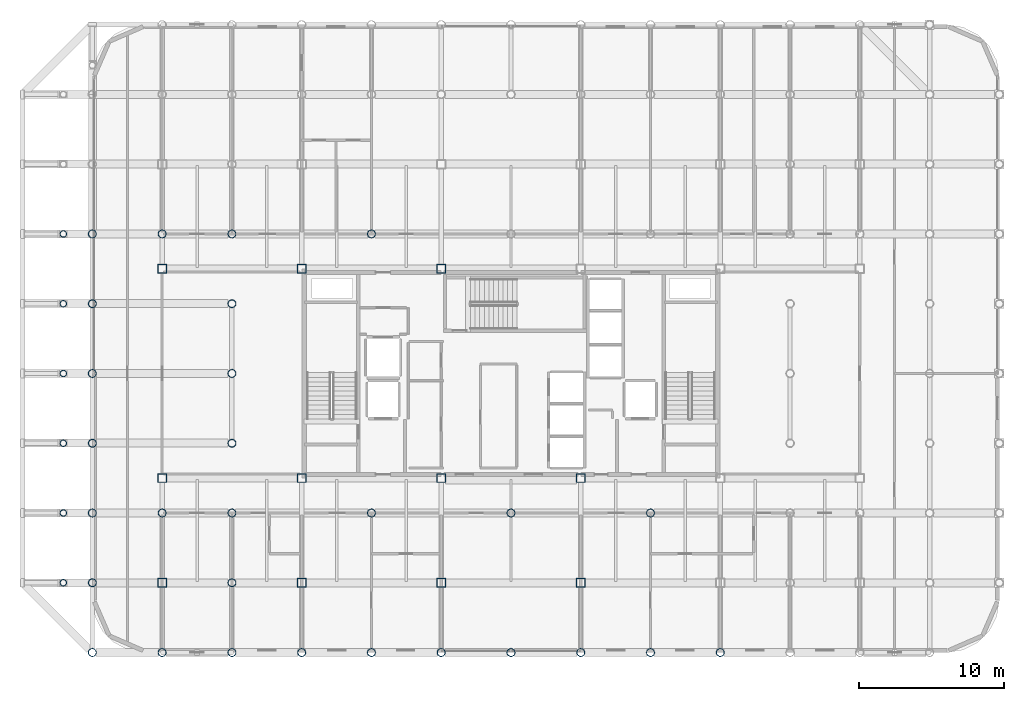
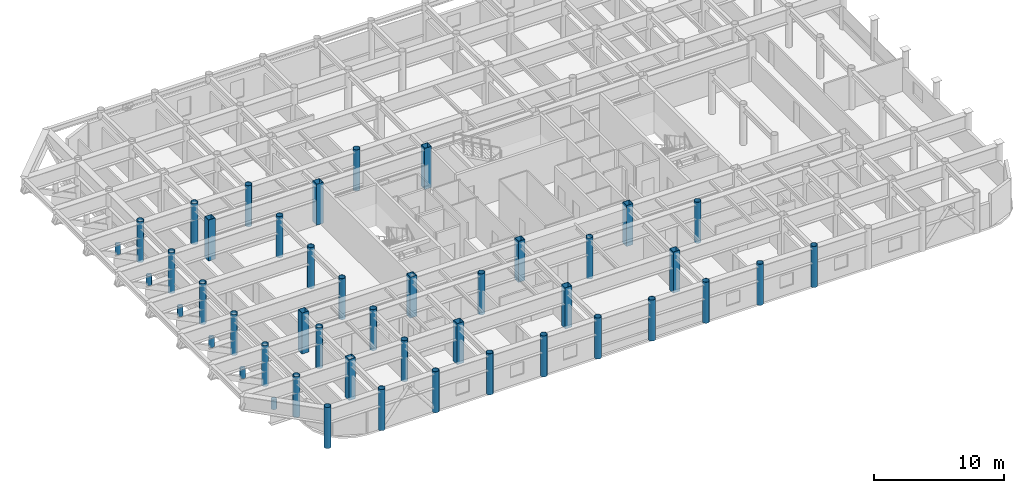
# One storey, part 1 of 27: 45 columns.
"""IFC4 building model written with IfcOpenShell, lengths in metres."""

from ifc_helpers import new_model, si_unit, direction, frame, origin, origin_2d, place, context, subcontext, project, spatial, hollow_rectangle, hollow_circle, extrude, material, material_profile, profile_set, type_object, element, save


model = new_model("IFC4")

# Units and contexts
model_context = context("Model", 3, precision=1e-05, world=origin(), true_north=direction((0.0, 1.0)))
body_context = subcontext(model_context, "Body", "Model", "MODEL_VIEW")
ifc_project = project(units=[si_unit("LENGTHUNIT", "METRE"), si_unit("AREAUNIT", "SQUARE_METRE"), si_unit("VOLUMEUNIT", "CUBIC_METRE"), si_unit("PLANEANGLEUNIT", "RADIAN"), si_unit("MASSUNIT", "GRAM", prefix="KILO")], contexts=[model_context])

# Site, building, storey
site_placement = place(None, origin())
site = spatial("IfcSite", under=ifc_project, at=site_placement, CompositionType="ELEMENT")
building_placement = place(site_placement, origin())
building = spatial("IfcBuilding", under=site, at=building_placement, Name="Kallvorn Hotel Tower", CompositionType="ELEMENT")
storey_placement = place(building_placement, frame((0.0, 0.0, 245.39990234375)))
storey = spatial("IfcBuildingStorey", under=building, at=storey_placement, Name="L61", CompositionType="ELEMENT", Elevation=245.39990234375)

# Columns
ifc_material_1 = material(Name="Structural steel S355J2H", Category="steel")
ifc_material_profile_1 = material_profile(ifc_material_1, hollow_circle(Radius=0.228515625, WallThickness=0.02001953125, at=origin_2d()), Name="CHS 457x20")
ifc_profile_set_1 = profile_set([ifc_material_profile_1], Name="Structural steel S355J2H")
column_type_1 = type_object("IfcColumnType", Name="COL_CHS_457", PredefinedType="COLUMN", material=ifc_profile_set_1)
for number, where, z_axis, x_axis, name in (
    (1, (-30.800048828125, -14.39990234375, 1.400146484375), (0.0, 0.0, 1.0), (1.0, 0.0, 0.0), "L62 Cantilever Haunch Prop Column 01"),
    (2, (-30.800048828125, -9.60009765625, 1.400146484375), (0.0, 0.0, 1.0), (1.0, 0.0, 0.0), "L62 Cantilever Haunch Prop Column 02"),
    (3, (-30.800048828125, -4.800048828125, 1.400146484375), (0.0, 0.0, 1.0), (1.0, 0.0, 0.0), "L62 Cantilever Haunch Prop Column 03"),
    (4, (-30.800048828125, 0.0, 1.400146484375), (0.0, 0.0, 1.0), (1.0, 0.0, 0.0), "L62 Cantilever Haunch Prop Column 04"),
    (5, (-30.800048828125, 4.800048828125, 1.400146484375), (0.0, 0.0, 1.0), (1.0, 0.0, 0.0), "L62 Cantilever Haunch Prop Column 05"),
    (6, (-30.800048828125, 9.60009765625, 1.400146484375), (0.0, 0.0, 1.0), (1.0, 0.0, 0.0), "L62 Cantilever Haunch Prop Column 06"),
):
    element("IfcColumn", number, at=place(storey_placement, frame(where, z_axis=z_axis, x_axis=x_axis)), inside=storey, type_object=column_type_1, Name=name, PredefinedType="COLUMN", context=body_context, shape_type="SweptSolid", body=[
        extrude(hollow_circle(Radius=0.228515625, WallThickness=0.02001953125, at=origin_2d()), origin(), (0.0, 0.0, 1.0), 0.889892578125),
    ])
ifc_material_2 = material(Name="Structural steel S355J2H", Category="steel")
ifc_material_profile_2 = material_profile(ifc_material_2, hollow_circle(Radius=0.279541015625, WallThickness=0.02490234375, at=origin_2d()), Name="CHS 559x25")
ifc_profile_set_2 = profile_set([ifc_material_profile_2], Name="Structural steel S355J2H")
column_type_2 = type_object("IfcColumnType", Name="COL_CHS_559", PredefinedType="COLUMN", material=ifc_profile_set_2)
for number, where, z_axis, x_axis, name in (
    (7, (-28.800048828125, -19.199951171875, 0.0), (0.0, 0.0, 1.0), (1.0, 0.0, 0.0), "L61 Exoskeleton Column EC01"),
    (8, (-28.800048828125, -14.39990234375, 0.0), (0.0, 0.0, 1.0), (1.0, 0.0, 0.0), "L61 Exoskeleton Column EC02"),
    (9, (-28.800048828125, -9.60009765625, 0.0), (0.0, 0.0, 1.0), (1.0, 0.0, 0.0), "L61 Exoskeleton Column EC03"),
    (10, (-28.800048828125, -4.800048828125, 0.0), (0.0, 0.0, 1.0), (1.0, 0.0, 0.0), "L61 Exoskeleton Column EC04"),
    (11, (-28.800048828125, 0.0, 0.0), (0.0, 0.0, 1.0), (1.0, 0.0, 0.0), "L61 Exoskeleton Column EC05"),
    (12, (-28.800048828125, 4.800048828125, 0.0), (0.0, 0.0, 1.0), (1.0, 0.0, 0.0), "L61 Exoskeleton Column EC06"),
    (13, (-28.800048828125, 9.60009765625, 0.0), (0.0, 0.0, 1.0), (1.0, 0.0, 0.0), "L61 Exoskeleton Column EC07"),
    (14, (-24.0, -19.199951171875, 0.0), (0.0, 0.0, 1.0), (1.0, 0.0, 0.0), "L61 Exoskeleton Column EC10"),
    (15, (-24.0, -9.60009765625, 0.0), (0.0, 0.0, 1.0), (1.0, 0.0, 0.0), "L61 Exoskeleton Column EC11"),
    (16, (-24.0, 9.60009765625, 0.0), (0.0, 0.0, 1.0), (1.0, 0.0, 0.0), "L61 Exoskeleton Column EC12"),
    (17, (-19.199951171875, -19.199951171875, 0.0), (0.0, 0.0, 1.0), (1.0, 0.0, 0.0), "L61 Exoskeleton Column EC15"),
    (18, (-19.199951171875, -14.39990234375, 0.0), (0.0, 0.0, 1.0), (1.0, 0.0, 0.0), "L61 Exoskeleton Column EC16"),
    (19, (-19.199951171875, -9.60009765625, 0.0), (0.0, 0.0, 1.0), (1.0, 0.0, 0.0), "L61 Exoskeleton Column EC17"),
    (20, (-19.199951171875, -4.800048828125, 0.0), (0.0, 0.0, 1.0), (1.0, 0.0, 0.0), "L61 Exoskeleton Column EC18"),
    (21, (-19.199951171875, 0.0, 0.0), (0.0, 0.0, 1.0), (1.0, 0.0, 0.0), "L61 Exoskeleton Column EC19"),
    (22, (-19.199951171875, 4.800048828125, 0.0), (0.0, 0.0, 1.0), (1.0, 0.0, 0.0), "L61 Exoskeleton Column EC20"),
    (23, (-19.199951171875, 9.60009765625, 0.0), (0.0, 0.0, 1.0), (1.0, 0.0, 0.0), "L61 Exoskeleton Column EC21"),
    (24, (-14.39990234375, -19.199951171875, 0.0), (0.0, 0.0, 1.0), (1.0, 0.0, 0.0), "L61 Exoskeleton Column EC25"),
    (25, (-9.60009765625, -19.199951171875, 0.0), (0.0, 0.0, 1.0), (1.0, 0.0, 0.0), "L61 Exoskeleton Column EC28"),
    (26, (-9.60009765625, -9.60009765625, 0.0), (0.0, 0.0, 1.0), (1.0, 0.0, 0.0), "L61 Exoskeleton Column EC29"),
    (27, (-9.60009765625, 9.60009765625, 0.0), (0.0, 0.0, 1.0), (1.0, 0.0, 0.0), "L61 Exoskeleton Column EC30"),
    (28, (-4.800048828125, -19.199951171875, 0.0), (0.0, 0.0, 1.0), (1.0, 0.0, 0.0), "L61 Exoskeleton Column EC33"),
    (29, (0.0, -19.199951171875, 0.0), (0.0, 0.0, 1.0), (1.0, 0.0, 0.0), "L61 Exoskeleton Column EC36"),
    (30, (0.0, -9.60009765625, 0.0), (0.0, 0.0, 1.0), (1.0, 0.0, 0.0), "L61 Exoskeleton Column EC37"),
    (31, (4.800048828125, -19.199951171875, 0.0), (0.0, 0.0, 1.0), (1.0, 0.0, 0.0), "L61 Exoskeleton Column EC41"),
    (32, (9.60009765625, -19.199951171875, 0.0), (0.0, 0.0, 1.0), (1.0, 0.0, 0.0), "L61 Exoskeleton Column EC44"),
    (33, (9.60009765625, -9.60009765625, 0.0), (0.0, 0.0, 1.0), (1.0, 0.0, 0.0), "L61 Exoskeleton Column EC45"),
    (34, (14.39990234375, -19.199951171875, 0.0), (0.0, 0.0, 1.0), (1.0, 0.0, 0.0), "L61 Exoskeleton Column EC49"),
):
    element("IfcColumn", number, at=place(storey_placement, frame(where, z_axis=z_axis, x_axis=x_axis)), inside=storey, type_object=column_type_2, Name=name, PredefinedType="COLUMN", context=body_context, shape_type="SweptSolid", body=[
        extrude(hollow_circle(Radius=0.279541015625, WallThickness=0.02490234375, at=origin_2d()), origin(), (0.0, 0.0, 1.0), 3.85009765625),
    ])
ifc_material_3 = material(Name="Structural steel S355J2H", Category="steel")
ifc_material_profile_3 = material_profile(ifc_material_3, hollow_rectangle(XDim=0.60009765625, YDim=0.60009765625, WallThickness=0.028076171875, at=origin_2d()), Name="RHS 600x600x28")
ifc_profile_set_3 = profile_set([ifc_material_profile_3], Name="Structural steel S355J2H")
column_type_3 = type_object("IfcColumnType", Name="COL_RHS_600", PredefinedType="COLUMN", material=ifc_profile_set_3)
for number, where, z_axis, x_axis, name in (
    (35, (-24.0, -14.39990234375, 0.0), (0.0, 0.0, 1.0), (1.0, 0.0, 0.0), "L61 Inner Column IC01"),
    (36, (-24.0, -7.199951171875, 0.0), (0.0, 0.0, 1.0), (1.0, 0.0, 0.0), "L61 Inner Column IC02"),
    (37, (-24.0, 7.199951171875, 0.0), (0.0, 0.0, 1.0), (1.0, 0.0, 0.0), "L61 Inner Column IC03"),
    (38, (-14.39990234375, -14.39990234375, 0.0), (0.0, 0.0, 1.0), (1.0, 0.0, 0.0), "L61 Inner Column IC05"),
    (39, (-14.39990234375, -7.199951171875, 0.0), (0.0, 0.0, 1.0), (1.0, 0.0, 0.0), "L61 Inner Column IC06"),
    (40, (-14.39990234375, 7.199951171875, 0.0), (0.0, 0.0, 1.0), (1.0, 0.0, 0.0), "L61 Inner Column IC07"),
    (41, (-4.800048828125, -14.39990234375, 0.0), (0.0, 0.0, 1.0), (1.0, 0.0, 0.0), "L61 Inner Column IC09"),
    (42, (-4.800048828125, -7.199951171875, 0.0), (0.0, 0.0, 1.0), (1.0, 0.0, 0.0), "L61 Inner Column IC10"),
    (43, (-4.800048828125, 7.199951171875, 0.0), (0.0, 0.0, 1.0), (1.0, 0.0, 0.0), "L61 Inner Column IC11"),
    (44, (4.800048828125, -14.39990234375, 0.0), (0.0, 0.0, 1.0), (1.0, 0.0, 0.0), "L61 Inner Column IC13"),
    (45, (4.800048828125, -7.199951171875, 0.0), (0.0, 0.0, 1.0), (1.0, 0.0, 0.0), "L61 Inner Column IC14"),
):
    element("IfcColumn", number, at=place(storey_placement, frame(where, z_axis=z_axis, x_axis=x_axis)), inside=storey, type_object=column_type_3, Name=name, PredefinedType="COLUMN", context=body_context, shape_type="SweptSolid", body=[
        extrude(hollow_rectangle(XDim=0.60009765625, YDim=0.60009765625, WallThickness=0.028076171875, at=origin_2d()), origin(), (0.0, 0.0, 1.0), 3.85009765625),
    ])

save(model, "model.ifc")
